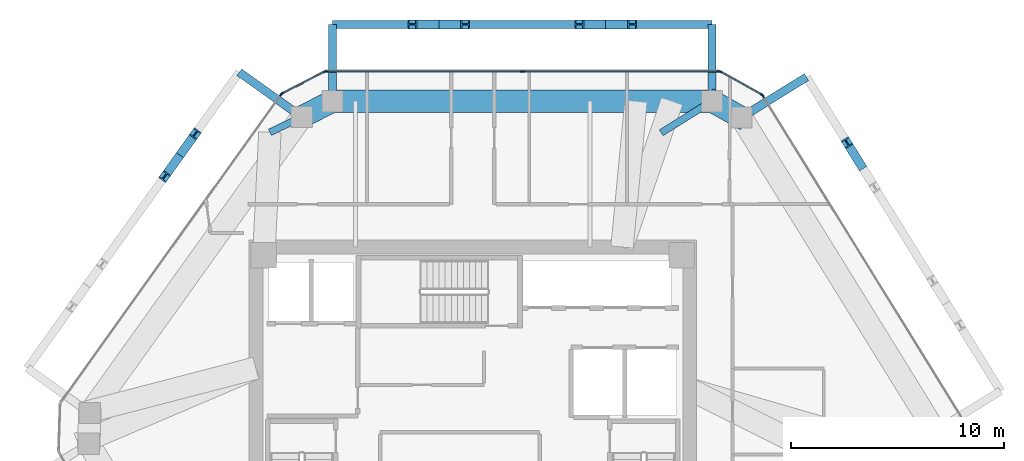
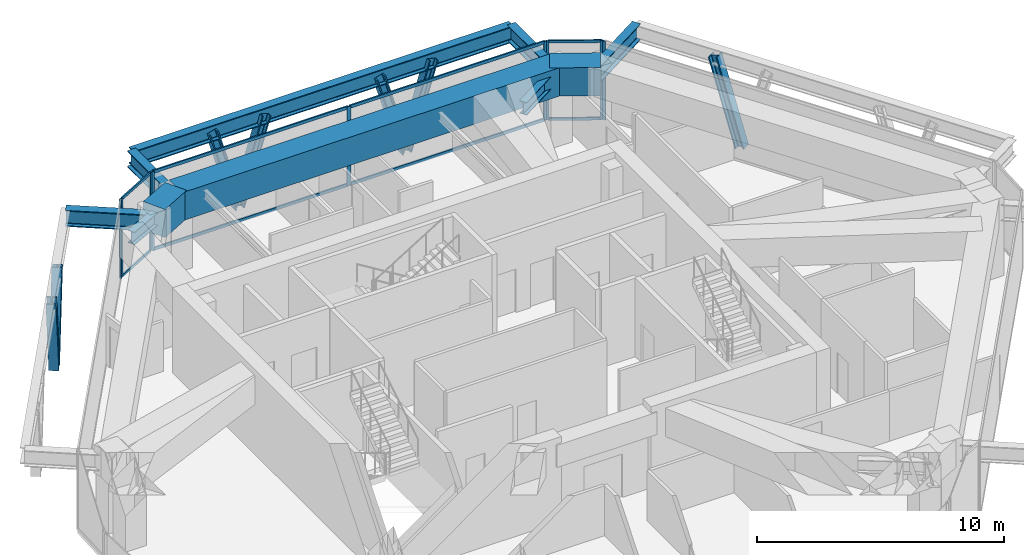
# One storey, part 6 of 11: 24 members, 10 beams, 5 elements without a shape of their own.
"""IFC4 building model written with IfcOpenShell, lengths in metres."""

from ifc_helpers import new_model, si_unit, direction, frame, origin, origin_2d, place, context, subcontext, project, spatial, rectangle, i_section, extrude, source, transform, mapped, material, layer, layer_set, material_profile, profile_set, type_object, type_shapes, element, aggregate, save


model = new_model("IFC4")

# Units and contexts
model_context = context("Model", 3, precision=1e-05, world=origin(), true_north=direction((0.0, 1.0)))
body_context = subcontext(model_context, "Body", "Model", "MODEL_VIEW")
ifc_project = project(units=[si_unit("LENGTHUNIT", "METRE"), si_unit("AREAUNIT", "SQUARE_METRE"), si_unit("VOLUMEUNIT", "CUBIC_METRE"), si_unit("PLANEANGLEUNIT", "RADIAN"), si_unit("MASSUNIT", "GRAM", prefix="KILO")], contexts=[model_context])

# Site, building, storey
site_placement = place(None, origin())
site = spatial("IfcSite", under=ifc_project, at=site_placement, CompositionType="ELEMENT")
building_placement = place(site_placement, origin())
building = spatial("IfcBuilding", under=site, at=building_placement, Name="Durnholm Broadcast Tower", CompositionType="ELEMENT")
storey_placement = place(building_placement, frame((0.0, 0.0, 209.199951171875)))
storey = spatial("IfcBuildingStorey", under=building, at=storey_placement, Name="L58", CompositionType="ELEMENT", Elevation=209.199951171875)

# Beams
ifc_material_1 = material(Name="Steel ASTM A992 Grade 50", Category="steel")
ifc_material_profile_1 = material_profile(ifc_material_1, i_section(OverallWidth=0.385009765625, OverallDepth=0.802978515625, WebThickness=0.023681640625, FlangeThickness=0.0419921875, FilletRadius=0.032958984375, at=origin_2d()), Name="W30X261")
ifc_profile_set_1 = profile_set([ifc_material_profile_1], Name="Steel ASTM A992 Grade 50")
beam_type_1 = type_object("IfcBeamType", Name="BM-EXO-TIE", PredefinedType="USERDEFINED", material=ifc_profile_set_1)
shared_shape_1 = source(origin(), body_context, "Body", "SweptSolid", [
    extrude(i_section(OverallWidth=0.385009765625, OverallDepth=0.802978515625, WebThickness=0.023681640625, FlangeThickness=0.0419921875, FilletRadius=0.032958984375, at=origin_2d()), origin(), (0.0, 0.0, 1.0), 3.4560546875),
])
for number, where, z_axis, x_axis, name in (
    (1, (12.713134765625, 14.327880859375, 3.1484375), (0.850662348375, 0.525712439512, 0.0), (-0.525712439512, 0.850662348375, 0.0), "L58 exoskeleton stand-off tie bracket F3.2"),
    (2, (-8.138916015625, 14.360107421875, 3.1484375), (-0.813079048773, 0.582153296346, 0.0), (-0.582153296346, -0.813079048773, 0.0), "L58 exoskeleton stand-off tie bracket F5.1"),
):
    element("IfcBeam", number, at=place(storey_placement, frame(where, z_axis=z_axis, x_axis=x_axis)), inside=storey, type_object=beam_type_1, Name=name, ObjectType="GIRDER", PredefinedType="USERDEFINED", context=body_context, shape_type="MappedRepresentation", body=[
        mapped(shared_shape_1, transform((0.0, 0.0, 0.0), x_axis=(1.0, 0.0, 0.0), y_axis=(0.0, 1.0, 0.0), z_axis=(0.0, 0.0, 1.0), scale=1.0)),
    ])
shared_shape_2 = source(origin(), body_context, "Body", "SweptSolid", [
    extrude(i_section(OverallWidth=0.385009765625, OverallDepth=0.802978515625, WebThickness=0.023681640625, FlangeThickness=0.0419921875, FilletRadius=0.032958984375, at=origin_2d()), origin(), (0.0, 0.0, 1.0), 3.455810546875),
])
for number, where, z_axis, x_axis, name in (
    (3, (11.217529296875, 15.162109375, 3.1484375), (0.0, 1.0, 0.0), (-1.0, 0.0, 0.0), "L58 exoskeleton stand-off tie bracket F4.1"),
    (4, (-6.57861328125, 15.162109375, 3.1484375), (0.0, 1.0, 0.0), (-1.0, 0.0, 0.0), "L58 exoskeleton stand-off tie bracket F4.2"),
):
    element("IfcBeam", number, at=place(storey_placement, frame(where, z_axis=z_axis, x_axis=x_axis)), inside=storey, type_object=beam_type_1, Name=name, ObjectType="GIRDER", PredefinedType="USERDEFINED", context=body_context, shape_type="MappedRepresentation", body=[
        mapped(shared_shape_2, transform((0.0, 0.0, 0.0), x_axis=(1.0, 0.0, 0.0), y_axis=(0.0, 1.0, 0.0), z_axis=(0.0, 0.0, 1.0), scale=1.0)),
    ])
shared_shape_3 = source(origin(), body_context, "Body", "SweptSolid", [
    extrude(i_section(OverallWidth=0.385009765625, OverallDepth=0.802978515625, WebThickness=0.023681640625, FlangeThickness=0.0419921875, FilletRadius=0.032958984375, at=origin_2d()), origin(), (0.0, 0.0, 1.0), 17.796142578125),
])
type_shapes(beam_type_1, [shared_shape_1, shared_shape_2, shared_shape_3])
beam_1_placement = place(storey_placement, frame((11.217529296875, 18.617919921875, 3.1484375), z_axis=(-1.0, 0.0, 0.0), x_axis=(0.0, -1.0, 0.0)))
element("IfcBeam", 5, at=beam_1_placement, inside=storey, type_object=beam_type_1, Name="L58 exoskeleton collector spandrel F4", PredefinedType="SPANDREL", context=body_context, shape_type="MappedRepresentation", body=[
    mapped(shared_shape_3, transform((0.0, 0.0, 0.0), x_axis=(1.0, 0.0, 0.0), y_axis=(0.0, 1.0, 0.0), z_axis=(0.0, 0.0, 1.0), scale=1.0)),
])
ifc_material_2 = material(Name="Concrete C70/85", Category="concrete")
ifc_material_profile_2 = material_profile(ifc_material_2, rectangle(XDim=1.050048828125, YDim=1.39990234375, at=origin_2d()), Name="RC1050X1400")
ifc_profile_set_2 = profile_set([ifc_material_profile_2], Name="Concrete C70/85")
beam_type_2 = type_object("IfcBeamType", Name="BM-TG-RC1400", PredefinedType="USERDEFINED", material=ifc_profile_set_2)
shared_shape_4 = source(origin(), body_context, "Body", "SweptSolid", [
    extrude(rectangle(XDim=1.050048828125, YDim=1.39990234375, at=origin_2d()), origin(), (0.0, 0.0, 1.0), 1.62255859375),
])
beam_2_placement = place(storey_placement, frame((-8.021728515625, 14.2763671875, 3.199951171875), z_axis=(0.889406668864, 0.45711680934, 0.0), x_axis=(-0.45711680934, 0.889406668864, 0.0)))
element("IfcBeam", 6, at=beam_2_placement, inside=storey, type_object=beam_type_2, Name="L58 perimeter transfer spandrel girder 04", PredefinedType="SPANDREL", context=body_context, shape_type="MappedRepresentation", body=[
    mapped(shared_shape_4, transform((0.0, 0.0, 0.0), x_axis=(1.0, 0.0, 0.0), y_axis=(0.0, 1.0, 0.0), z_axis=(0.0, 0.0, 1.0), scale=1.0)),
])
shared_shape_5 = source(origin(), body_context, "Body", "SweptSolid", [
    extrude(rectangle(XDim=1.050048828125, YDim=1.39990234375, at=origin_2d()), origin(), (0.0, 0.0, 1.0), 17.796142578125),
])
beam_3_placement = place(storey_placement, frame((-6.57861328125, 15.01806640625, 3.199951171875), z_axis=(1.0, 0.0, 0.0), x_axis=(0.0, 1.0, 0.0)))
element("IfcBeam", 7, at=beam_3_placement, inside=storey, type_object=beam_type_2, Name="L58 perimeter transfer spandrel girder 05", PredefinedType="SPANDREL", context=body_context, shape_type="MappedRepresentation", body=[
    mapped(shared_shape_5, transform((0.0, 0.0, 0.0), x_axis=(1.0, 0.0, 0.0), y_axis=(0.0, 1.0, 0.0), z_axis=(0.0, 0.0, 1.0), scale=1.0)),
])
shared_shape_6 = source(origin(), body_context, "Body", "SweptSolid", [
    extrude(rectangle(XDim=1.050048828125, YDim=1.39990234375, at=origin_2d()), origin(), (0.0, 0.0, 1.0), 2.072265625),
])
type_shapes(beam_type_2, [shared_shape_4, shared_shape_5, shared_shape_6])
beam_4_placement = place(storey_placement, frame((10.999267578125, 15.139892578125, 3.199951171875), z_axis=(0.873372548397, -0.487052760701, 0.0), x_axis=(0.487052760701, 0.873372548397, 0.0)))
element("IfcBeam", 8, at=beam_4_placement, inside=storey, type_object=beam_type_2, Name="L58 perimeter transfer spandrel girder 06", PredefinedType="SPANDREL", context=body_context, shape_type="MappedRepresentation", body=[
    mapped(shared_shape_6, transform((0.0, 0.0, 0.0), x_axis=(1.0, 0.0, 0.0), y_axis=(0.0, 1.0, 0.0), z_axis=(0.0, 0.0, 1.0), scale=1.0)),
])
ifc_material_profile_3 = material_profile(ifc_material_1, i_section(OverallWidth=0.3291015625, OverallDepth=0.635009765625, WebThickness=0.017822265625, FlangeThickness=0.031005859375, FilletRadius=0.02783203125, at=origin_2d()), Name="W24X162")
ifc_profile_set_3 = profile_set([ifc_material_profile_3], Name="Steel ASTM A992 Grade 50")
beam_type_3 = type_object("IfcBeamType", Name="STL-SP-W24X162", PredefinedType="SPANDREL", material=ifc_profile_set_3)
shared_shape_7 = source(origin(), body_context, "Body", "SweptSolid", [
    extrude(i_section(OverallWidth=0.3291015625, OverallDepth=0.635009765625, WebThickness=0.017822265625, FlangeThickness=0.031005859375, FilletRadius=0.02783203125, at=origin_2d()), origin(), (0.0, 0.0, 1.0), 1.6572265625),
])
beam_5_placement = place(storey_placement, frame((-8.021728515625, 14.2763671875, 3.280029296875), z_axis=(-0.900986740732, -0.433846623848, 0.0), x_axis=(0.433846623848, -0.900986740732, 0.0)))
element("IfcBeam", 9, at=beam_5_placement, inside=storey, type_object=beam_type_3, Name="L58 perimeter column collector tie 04", ObjectType="GIRDER", PredefinedType="USERDEFINED", context=body_context, shape_type="MappedRepresentation", body=[
    mapped(shared_shape_7, transform((0.0, 0.0, 0.0), x_axis=(1.0, 0.0, 0.0), y_axis=(0.0, 1.0, 0.0), z_axis=(0.0, 0.0, 1.0), scale=1.0)),
])
shared_shape_8 = source(origin(), body_context, "Body", "SweptSolid", [
    extrude(i_section(OverallWidth=0.3291015625, OverallDepth=0.635009765625, WebThickness=0.017822265625, FlangeThickness=0.031005859375, FilletRadius=0.02783203125, at=origin_2d()), origin(), (0.0, 0.0, 1.0), 2.802978515625),
])
type_shapes(beam_type_3, [shared_shape_7, shared_shape_8])
beam_6_placement = place(storey_placement, frame((11.217529296875, 15.01806640625, 3.280029296875), z_axis=(-0.849136469193, -0.52817351002, 0.0), x_axis=(0.52817351002, -0.849136469193, 0.0)))
element("IfcBeam", 10, at=beam_6_placement, inside=storey, type_object=beam_type_3, Name="L58 perimeter column collector tie 07", ObjectType="GIRDER", PredefinedType="USERDEFINED", context=body_context, shape_type="MappedRepresentation", body=[
    mapped(shared_shape_8, transform((0.0, 0.0, 0.0), x_axis=(1.0, 0.0, 0.0), y_axis=(0.0, 1.0, 0.0), z_axis=(0.0, 0.0, 1.0), scale=1.0)),
])

# Members
ifc_material_3 = material(Name="Steel ASTM A913 Grade 65", Category="steel")
ifc_material_profile_4 = material_profile(ifc_material_3, i_section(OverallWidth=0.412109375, OverallDepth=0.434814453125, WebThickness=0.035888671875, FlangeThickness=0.057373046875, FilletRadius=0.030517578125, at=origin_2d()), Name="W14X311")
ifc_profile_set_4 = profile_set([ifc_material_profile_4], Name="Steel ASTM A913 Grade 65")
member_type_1 = type_object("IfcMemberType", Name="STL-DG-W14X311", PredefinedType="BRACE", material=ifc_profile_set_4)
shared_shape_9 = source(origin(), body_context, "Body", "SweptSolid", [
    extrude(i_section(OverallWidth=0.412109375, OverallDepth=0.434814453125, WebThickness=0.035888671875, FlangeThickness=0.057373046875, FilletRadius=0.030517578125, at=origin_2d()), origin(), (0.0, 0.0, 1.0), 4.31982421875),
])
type_shapes(member_type_1, [shared_shape_9])
for number, where, z_axis, x_axis, name in (
    (11, (18.2001953125, 12.023193359375, -0.991455078125), (-0.150161052715, 0.243015629158, 0.958329307823), (-0.850699125742, -0.525652924906, 0.0), "L58 stand-off diagrid brace F3.D2.2"),
    (12, (6.234619140625, 18.617919921875, -0.991455078125), (0.285631208426, 0.0, 0.958339612441), (0.0, 1.0, 0.0), "L58 stand-off diagrid brace F4.D1.1"),
    (13, (6.234619140625, 18.617919921875, -0.991455078125), (-0.285631208426, 0.0, 0.958339612441), (0.0, -1.0, 0.0), "L58 stand-off diagrid brace F4.D1.2"),
    (14, (-1.595703125, 18.617919921875, -0.991455078125), (0.285631208426, 0.0, 0.958339612441), (0.0, 1.0, 0.0), "L58 stand-off diagrid brace F4.D2.1"),
    (15, (-1.595703125, 18.617919921875, -0.991455078125), (-0.285631208426, 0.0, 0.958339612441), (0.0, -1.0, 0.0), "L58 stand-off diagrid brace F4.D2.2"),
    (16, (-13.731689453125, 12.485595703125, -0.991455078125), (0.166270665174, 0.232225072468, 0.958345230916), (-0.813077820009, 0.582155012526, 0.0), "L58 stand-off diagrid brace F5.D1.1"),
    (17, (-13.731689453125, 12.485595703125, -0.991455078125), (-0.166270665174, -0.232225072468, 0.958345230916), (0.813077820009, -0.582155012526, 0.0), "L58 stand-off diagrid brace F5.D1.2"),
):
    element("IfcMember", number, at=place(storey_placement, frame(where, z_axis=z_axis, x_axis=x_axis)), inside=storey, type_object=member_type_1, Name=name, PredefinedType="BRACE", context=body_context, shape_type="MappedRepresentation", body=[
        mapped(shared_shape_9, transform((0.0, 0.0, 0.0), x_axis=(1.0, 0.0, 0.0), y_axis=(0.0, 1.0, 0.0), z_axis=(0.0, 0.0, 1.0), scale=1.0)),
    ])

# Curtain wall, members
ifc_material_4 = material(Name="Aluminium and Solar Control IGU", Category="aluminium")
ifc_layer_1 = layer(ifc_material_4, 0.1650390625)
ifc_layer_set_1 = layer_set([ifc_layer_1], Name="Aluminium and Solar Control IGU")
curtain_wall_type_1 = type_object("IfcCurtainWallType", Name="CW-SYS-5", PredefinedType="NOTDEFINED", material=ifc_layer_set_1)
curtain_wall_1_placement = place(storey_placement, origin())
curtain_wall_1 = element("IfcCurtainWall", 18, at=curtain_wall_1_placement, inside=storey, type_object=curtain_wall_type_1, Name="L58 curtain wall CW-CORNER CW-L58-CRN-03", PredefinedType="NOTDEFINED")
ifc_material_5 = material(Name="Aluminium 6063-T6", Category="aluminium")
ifc_material_profile_5 = material_profile(ifc_material_5, rectangle(XDim=0.06494140625, YDim=0.1298828125, at=origin_2d()), Name="CWT65X130")
ifc_profile_set_5 = profile_set([ifc_material_profile_5], Name="Aluminium 6063-T6")
member_type_2 = type_object("IfcMemberType", Name="CW-SYS-5-TRN", PredefinedType="USERDEFINED", material=ifc_profile_set_5)
shared_shape_10 = source(origin(), body_context, "Body", "SweptSolid", [
    extrude(rectangle(XDim=0.06494140625, YDim=0.1298828125, at=origin_2d()), origin(), (0.0, 0.0, 1.0), 2.169921875),
])
type_shapes(member_type_2, [shared_shape_10])
member_1_placement = place(storey_placement, frame((-8.9052734375, 15.396484375, 0.032470703125), z_axis=(0.889468148591, 0.456997169185, 0.0), x_axis=(-0.456997169185, 0.889468148591, 0.0)))
member_1 = element("IfcMember", 19, at=member_1_placement, type_object=member_type_2, Name="CW-CORNER transom 1.1", ObjectType="TRANSOM", PredefinedType="USERDEFINED", context=body_context, shape_type="MappedRepresentation", body=[
    mapped(shared_shape_10, transform((0.0, 0.0, 0.0), x_axis=(1.0, 0.0, 0.0), y_axis=(0.0, 1.0, 0.0), z_axis=(0.0, 0.0, 1.0), scale=1.0)),
])
member_2_placement = place(storey_placement, frame((-8.9052734375, 15.396484375, 3.867431640625), z_axis=(0.889468148591, 0.456997169185, 0.0), x_axis=(-0.456997169185, 0.889468148591, 0.0)))
member_2 = element("IfcMember", 20, at=member_2_placement, type_object=member_type_2, Name="CW-CORNER transom 1.2", ObjectType="TRANSOM", PredefinedType="USERDEFINED", context=body_context, shape_type="MappedRepresentation", body=[
    mapped(shared_shape_10, transform((0.0, 0.0, 0.0), x_axis=(1.0, 0.0, 0.0), y_axis=(0.0, 1.0, 0.0), z_axis=(0.0, 0.0, 1.0), scale=1.0)),
])

curtain_wall_2_placement = place(storey_placement, origin())
curtain_wall_2 = element("IfcCurtainWall", 21, at=curtain_wall_2_placement, inside=storey, type_object=curtain_wall_type_1, Name="L58 curtain wall CW-CORNER CW-L58-CRN-05", PredefinedType="NOTDEFINED")
member_3_placement = place(storey_placement, frame((11.63818359375, 16.38623046875, 0.032470703125), z_axis=(0.873429215361, -0.48695113282, 0.0), x_axis=(0.48695113282, 0.873429215361, 0.0)))
member_3 = element("IfcMember", 22, at=member_3_placement, type_object=member_type_2, Name="CW-CORNER transom 1.1", ObjectType="TRANSOM", PredefinedType="USERDEFINED", context=body_context, shape_type="MappedRepresentation", body=[
    mapped(shared_shape_10, transform((0.0, 0.0, 0.0), x_axis=(1.0, 0.0, 0.0), y_axis=(0.0, 1.0, 0.0), z_axis=(0.0, 0.0, 1.0), scale=1.0)),
])
member_4_placement = place(storey_placement, frame((11.63818359375, 16.38623046875, 3.867431640625), z_axis=(0.873429215361, -0.48695113282, 0.0), x_axis=(0.48695113282, 0.873429215361, 0.0)))
member_4 = element("IfcMember", 23, at=member_4_placement, type_object=member_type_2, Name="CW-CORNER transom 1.2", ObjectType="TRANSOM", PredefinedType="USERDEFINED", context=body_context, shape_type="MappedRepresentation", body=[
    mapped(shared_shape_10, transform((0.0, 0.0, 0.0), x_axis=(1.0, 0.0, 0.0), y_axis=(0.0, 1.0, 0.0), z_axis=(0.0, 0.0, 1.0), scale=1.0)),
])

ifc_layer_2 = layer(ifc_material_4, 0.18994140625)
ifc_layer_set_2 = layer_set([ifc_layer_2], Name="Aluminium and Solar Control IGU")
curtain_wall_type_2 = type_object("IfcCurtainWallType", Name="CW-SYS-4", PredefinedType="NOTDEFINED", material=ifc_layer_set_2)
curtain_wall_3_placement = place(storey_placement, origin())
curtain_wall_3 = element("IfcCurtainWall", 24, at=curtain_wall_3_placement, inside=storey, type_object=curtain_wall_type_2, Name="L58 curtain wall CW-Z34-VIS CW-L58-F04", PredefinedType="NOTDEFINED")
ifc_material_profile_6 = material_profile(ifc_material_5, rectangle(XDim=0.070068359375, YDim=0.14990234375, at=origin_2d()), Name="CWT70X150")
ifc_profile_set_6 = profile_set([ifc_material_profile_6], Name="Aluminium 6063-T6")
member_type_3 = type_object("IfcMemberType", Name="CW-SYS-4-TRN", PredefinedType="USERDEFINED", material=ifc_profile_set_6)
shared_shape_11 = source(origin(), body_context, "Body", "SweptSolid", [
    extrude(rectangle(XDim=0.070068359375, YDim=0.14990234375, at=origin_2d()), origin(), (0.0, 0.0, 1.0), 9.14453125),
])
type_shapes(member_type_3, [shared_shape_11])
member_5_placement = place(storey_placement, frame((-6.847412109375, 16.41796875, 0.03515625), z_axis=(1.0, 0.0, 0.0), x_axis=(0.0, 1.0, 0.0)))
member_5 = element("IfcMember", 25, at=member_5_placement, type_object=member_type_3, Name="CW-Z34-VIS transom 1.1", ObjectType="TRANSOM", PredefinedType="USERDEFINED", context=body_context, shape_type="MappedRepresentation", body=[
    mapped(shared_shape_11, transform((0.0, 0.0, 0.0), x_axis=(1.0, 0.0, 0.0), y_axis=(0.0, 1.0, 0.0), z_axis=(0.0, 0.0, 1.0), scale=1.0)),
])
member_6_placement = place(storey_placement, frame((-6.847412109375, 16.41796875, 3.864990234375), z_axis=(1.0, 0.0, 0.0), x_axis=(0.0, 1.0, 0.0)))
member_6 = element("IfcMember", 26, at=member_6_placement, type_object=member_type_3, Name="CW-Z34-VIS transom 1.2", ObjectType="TRANSOM", PredefinedType="USERDEFINED", context=body_context, shape_type="MappedRepresentation", body=[
    mapped(shared_shape_11, transform((0.0, 0.0, 0.0), x_axis=(1.0, 0.0, 0.0), y_axis=(0.0, 1.0, 0.0), z_axis=(0.0, 0.0, 1.0), scale=1.0)),
])
member_7_placement = place(storey_placement, frame((2.366943359375, 16.41796875, 0.03515625), z_axis=(1.0, 0.0, 0.0), x_axis=(0.0, 1.0, 0.0)))
member_7 = element("IfcMember", 27, at=member_7_placement, type_object=member_type_3, Name="CW-Z34-VIS transom 2.1", ObjectType="TRANSOM", PredefinedType="USERDEFINED", context=body_context, shape_type="MappedRepresentation", body=[
    mapped(shared_shape_11, transform((0.0, 0.0, 0.0), x_axis=(1.0, 0.0, 0.0), y_axis=(0.0, 1.0, 0.0), z_axis=(0.0, 0.0, 1.0), scale=1.0)),
])
member_8_placement = place(storey_placement, frame((2.366943359375, 16.41796875, 3.864990234375), z_axis=(1.0, 0.0, 0.0), x_axis=(0.0, 1.0, 0.0)))
member_8 = element("IfcMember", 28, at=member_8_placement, type_object=member_type_3, Name="CW-Z34-VIS transom 2.2", ObjectType="TRANSOM", PredefinedType="USERDEFINED", context=body_context, shape_type="MappedRepresentation", body=[
    mapped(shared_shape_11, transform((0.0, 0.0, 0.0), x_axis=(1.0, 0.0, 0.0), y_axis=(0.0, 1.0, 0.0), z_axis=(0.0, 0.0, 1.0), scale=1.0)),
])

# Member
ifc_material_profile_7 = material_profile(ifc_material_5, rectangle(XDim=0.06494140625, YDim=0.1650390625, at=origin_2d()), Name="CWM65X165")
ifc_profile_set_7 = profile_set([ifc_material_profile_7], Name="Aluminium 6063-T6")
member_type_4 = type_object("IfcMemberType", Name="CW-SYS-5-MUL", PredefinedType="MULLION", material=ifc_profile_set_7)
shared_shape_12 = source(origin(), body_context, "Body", "SweptSolid", [
    extrude(rectangle(XDim=0.06494140625, YDim=0.1650390625, at=origin_2d()), origin(), (0.0, 0.0, 1.0), 3.900146484375),
])
type_shapes(member_type_4, [shared_shape_12])
member_9_placement = place(storey_placement, frame((-8.93408203125, 15.381591796875, 0.0), z_axis=(0.0, 0.0, 1.0), x_axis=(-0.457081764476, 0.889424679545, 0.0)))
member_9 = element("IfcMember", 29, at=member_9_placement, type_object=member_type_4, Name="CW-CORNER mullion 1", PredefinedType="MULLION", context=body_context, shape_type="MappedRepresentation", body=[
    mapped(shared_shape_12, transform((0.0, 0.0, 0.0), x_axis=(1.0, 0.0, 0.0), y_axis=(0.0, 1.0, 0.0), z_axis=(0.0, 0.0, 1.0), scale=1.0)),
])

member_10_placement = place(storey_placement, frame((-6.9462890625, 16.403076171875, 0.0), z_axis=(0.0, 0.0, 1.0), x_axis=(-0.457081764476, 0.889424679545, 0.0)))
member_10 = element("IfcMember", 30, at=member_10_placement, type_object=member_type_4, Name="CW-CORNER mullion 2", PredefinedType="MULLION", context=body_context, shape_type="MappedRepresentation", body=[
    mapped(shared_shape_12, transform((0.0, 0.0, 0.0), x_axis=(1.0, 0.0, 0.0), y_axis=(0.0, 1.0, 0.0), z_axis=(0.0, 0.0, 1.0), scale=1.0)),
])

aggregate(curtain_wall_1, [member_9, member_10, member_1, member_2])

member_11_placement = place(storey_placement, frame((11.60986328125, 16.402099609375, 0.0), z_axis=(0.0, 0.0, 1.0), x_axis=(0.486986043316, 0.873409751271, 0.0)))
member_11 = element("IfcMember", 31, at=member_11_placement, type_object=member_type_4, Name="CW-CORNER mullion 1", PredefinedType="MULLION", context=body_context, shape_type="MappedRepresentation", body=[
    mapped(shared_shape_12, transform((0.0, 0.0, 0.0), x_axis=(1.0, 0.0, 0.0), y_axis=(0.0, 1.0, 0.0), z_axis=(0.0, 0.0, 1.0), scale=1.0)),
])

member_12_placement = place(storey_placement, frame((13.56201171875, 15.313720703125, 0.0), z_axis=(0.0, 0.0, 1.0), x_axis=(0.486986043316, 0.873409751271, 0.0)))
member_12 = element("IfcMember", 32, at=member_12_placement, type_object=member_type_4, Name="CW-CORNER mullion 2", PredefinedType="MULLION", context=body_context, shape_type="MappedRepresentation", body=[
    mapped(shared_shape_12, transform((0.0, 0.0, 0.0), x_axis=(1.0, 0.0, 0.0), y_axis=(0.0, 1.0, 0.0), z_axis=(0.0, 0.0, 1.0), scale=1.0)),
])

aggregate(curtain_wall_2, [member_11, member_12, member_3, member_4])

# Curtain wall, member
curtain_wall_4_placement = place(storey_placement, origin())
curtain_wall_4 = element("IfcCurtainWall", 33, at=curtain_wall_4_placement, inside=storey, type_object=curtain_wall_type_2, Name="L58 curtain wall CW-Z34-VIS CW-L58-F02", PredefinedType="NOTDEFINED")
ifc_material_profile_8 = material_profile(ifc_material_5, rectangle(XDim=0.070068359375, YDim=0.18994140625, at=origin_2d()), Name="CWM70X190")
ifc_profile_set_8 = profile_set([ifc_material_profile_8], Name="Aluminium 6063-T6")
member_type_5 = type_object("IfcMemberType", Name="CW-SYS-4-MUL", PredefinedType="MULLION", material=ifc_profile_set_8)
shared_shape_13 = source(origin(), body_context, "Body", "SweptSolid", [
    extrude(rectangle(XDim=0.070068359375, YDim=0.18994140625, at=origin_2d()), origin(), (0.0, 0.0, 1.0), 3.900146484375),
])
type_shapes(member_type_5, [shared_shape_13])
member_13_placement = place(storey_placement, frame((-8.9833984375, 15.338134765625, 0.0), z_axis=(0.0, 0.0, 1.0), x_axis=(-0.813089262696, 0.582139030549, 0.0)))
member_13 = element("IfcMember", 34, at=member_13_placement, type_object=member_type_5, Name="CW-Z34-VIS mullion 2", PredefinedType="MULLION", context=body_context, shape_type="MappedRepresentation", body=[
    mapped(shared_shape_13, transform((0.0, 0.0, 0.0), x_axis=(1.0, 0.0, 0.0), y_axis=(0.0, 1.0, 0.0), z_axis=(0.0, 0.0, 1.0), scale=1.0)),
])
aggregate(curtain_wall_4, [member_13])

# Member
member_14_placement = place(storey_placement, frame((-6.88232421875, 16.41796875, 0.0), z_axis=(0.0, 0.0, 1.0), x_axis=(0.0, 1.0, 0.0)))
member_14 = element("IfcMember", 35, at=member_14_placement, type_object=member_type_5, Name="CW-Z34-VIS mullion 1", PredefinedType="MULLION", context=body_context, shape_type="MappedRepresentation", body=[
    mapped(shared_shape_13, transform((0.0, 0.0, 0.0), x_axis=(1.0, 0.0, 0.0), y_axis=(0.0, 1.0, 0.0), z_axis=(0.0, 0.0, 1.0), scale=1.0)),
])

member_15_placement = place(storey_placement, frame((2.33203125, 16.41796875, 0.0), z_axis=(0.0, 0.0, 1.0), x_axis=(0.0, 1.0, 0.0)))
member_15 = element("IfcMember", 36, at=member_15_placement, type_object=member_type_5, Name="CW-Z34-VIS mullion 2", PredefinedType="MULLION", context=body_context, shape_type="MappedRepresentation", body=[
    mapped(shared_shape_13, transform((0.0, 0.0, 0.0), x_axis=(1.0, 0.0, 0.0), y_axis=(0.0, 1.0, 0.0), z_axis=(0.0, 0.0, 1.0), scale=1.0)),
])

member_16_placement = place(storey_placement, frame((11.54638671875, 16.41796875, 0.0), z_axis=(0.0, 0.0, 1.0), x_axis=(0.0, 1.0, 0.0)))
member_16 = element("IfcMember", 37, at=member_16_placement, type_object=member_type_5, Name="CW-Z34-VIS mullion 3", PredefinedType="MULLION", context=body_context, shape_type="MappedRepresentation", body=[
    mapped(shared_shape_13, transform((0.0, 0.0, 0.0), x_axis=(1.0, 0.0, 0.0), y_axis=(0.0, 1.0, 0.0), z_axis=(0.0, 0.0, 1.0), scale=1.0)),
])

aggregate(curtain_wall_3, [member_14, member_15, member_16, member_5, member_6, member_7, member_8])

# Curtain wall, member
curtain_wall_5_placement = place(storey_placement, origin())
curtain_wall_5 = element("IfcCurtainWall", 38, at=curtain_wall_5_placement, inside=storey, type_object=curtain_wall_type_2, Name="L58 curtain wall CW-Z34-VIS CW-L58-F06", PredefinedType="NOTDEFINED")
member_17_placement = place(storey_placement, frame((13.608642578125, 15.26806640625, 0.0), z_axis=(0.0, 0.0, 1.0), x_axis=(0.850671426092, 0.525697750452, 0.0)))
member_17 = element("IfcMember", 39, at=member_17_placement, type_object=member_type_5, Name="CW-Z34-VIS mullion 1", PredefinedType="MULLION", context=body_context, shape_type="MappedRepresentation", body=[
    mapped(shared_shape_13, transform((0.0, 0.0, 0.0), x_axis=(1.0, 0.0, 0.0), y_axis=(0.0, 1.0, 0.0), z_axis=(0.0, 0.0, 1.0), scale=1.0)),
])
aggregate(curtain_wall_5, [member_17])

save(model, "model.ifc")
